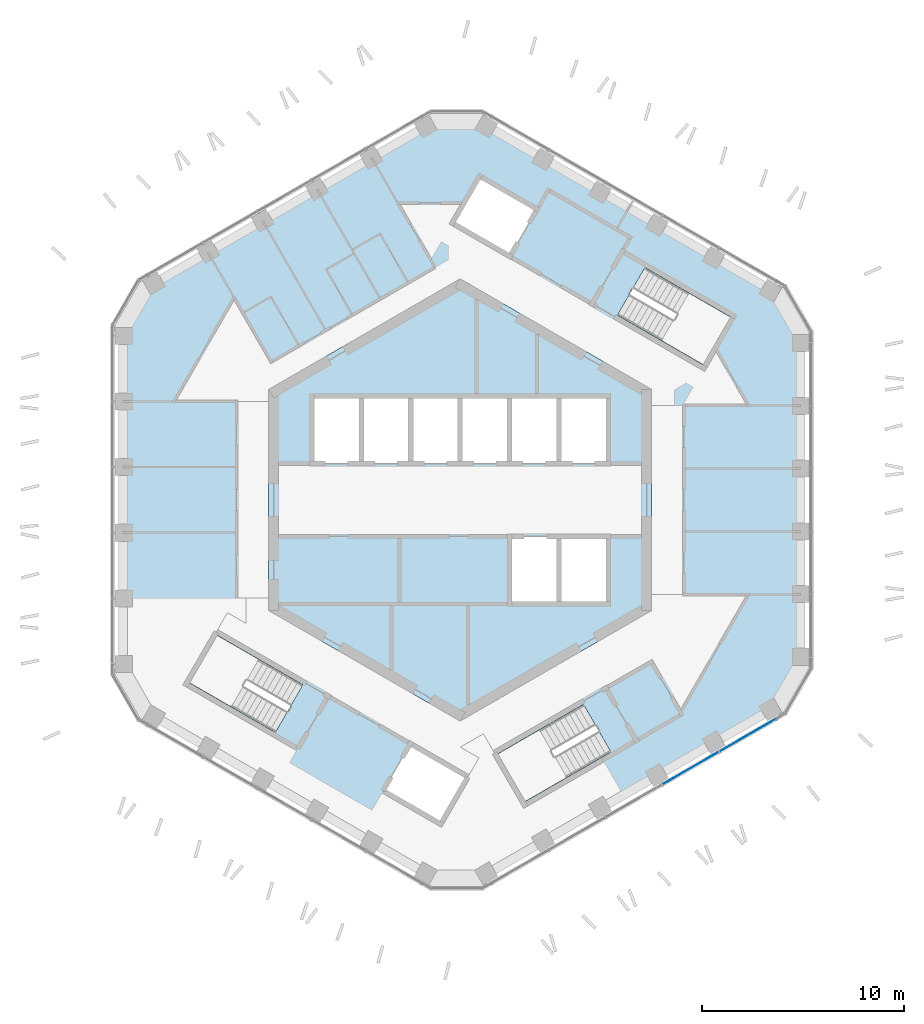
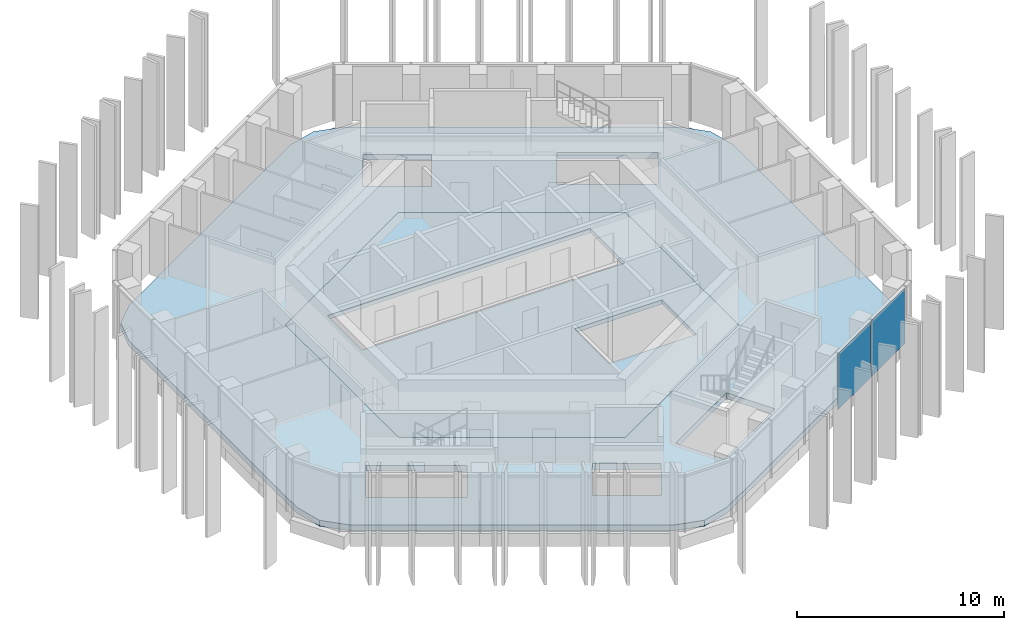
# One storey, part 9 of 18: 2 plates, 2 slabs, 1 element without a shape of its own.
"""IFC4 building model written with IfcOpenShell, lengths in metres."""

from ifc_helpers import new_model, si_unit, direction, frame, origin, origin_2d, place, context, subcontext, project, spatial, polyline, rectangle, outline, extrude, material, layer, layer_set, type_object, element, aggregate, save


model = new_model("IFC4")

# Units and contexts
model_context = context("Model", 3, precision=1e-05, world=origin(), true_north=direction((0.0, 1.0)))
body_context = subcontext(model_context, "Body", "Model", "MODEL_VIEW")
ifc_project = project(units=[si_unit("LENGTHUNIT", "METRE"), si_unit("AREAUNIT", "SQUARE_METRE"), si_unit("VOLUMEUNIT", "CUBIC_METRE"), si_unit("PLANEANGLEUNIT", "RADIAN"), si_unit("MASSUNIT", "GRAM", prefix="KILO")], contexts=[model_context])

# Site, building, storey
site_placement = place(None, origin())
site = spatial("IfcSite", under=ifc_project, at=site_placement, CompositionType="ELEMENT")
building_placement = place(site_placement, origin())
building = spatial("IfcBuilding", under=site, at=building_placement, Name="Ayvan Gate Tower", CompositionType="ELEMENT")
storey_placement = place(building_placement, frame((0.0, 0.0, 229.10009765625)))
storey = spatial("IfcBuildingStorey", under=building, at=storey_placement, Name="L61", CompositionType="ELEMENT", Elevation=229.10009765625)

# Slabs
ifc_material_1 = material(Name="Concrete C40/50", Category="concrete")
ifc_layer_1 = layer(ifc_material_1, 0.35009765625)
ifc_layer_set_1 = layer_set([ifc_layer_1], Name="Concrete C40/50")
slab_type_1 = type_object("IfcSlabType", Name="Post-tensioned flat slab 350", PredefinedType="FLOOR", material=ifc_layer_set_1)
slab_1_placement = place(storey_placement, frame((0.0, 0.0, -0.35009765625)))
element("IfcSlab", 1, at=slab_1_placement, inside=storey, type_object=slab_type_1, Name="SL-L61", PredefinedType="FLOOR", context=body_context, shape_type="SweptSolid", body=[
    extrude(outline(polyline([(1.322021484375, -18.53125), (-0.177978515625, -18.93310546875), (-1.677978515625, -18.53125), (-15.20947265625, -10.71875), (-16.3076171875, -9.620849609375), (-16.70947265625, -8.120849609375), (-16.70947265625, 8.120849609375), (-16.3076171875, 9.620849609375), (-15.20947265625, 10.71875), (-1.677978515625, 18.53125), (-0.177978515625, 18.93310546875), (1.322021484375, 18.53125), (15.387451171875, 10.410400390625), (16.485595703125, 9.312255859375), (16.887451171875, 7.812255859375), (16.887451171875, -7.812255859375), (16.485595703125, -9.312255859375), (15.387451171875, -10.410400390625), (1.322021484375, -18.53125)]), holes=[polyline([(12.049560546875, 6.720458984375), (13.404541015625, 9.0673828125), (9.1611328125, 11.517578125), (7.80615234375, 9.170654296875), (12.049560546875, 6.720458984375)]), polyline([(9.5, 5.48486328125), (0.0, 10.9697265625), (-9.5, 5.48486328125), (-9.5, -5.48486328125), (0.0, -10.9697265625), (9.5, -5.48486328125), (9.5, 5.48486328125)]), polyline([(1.873779296875, -12.595458984375), (3.228759765625, -14.9423828125), (7.472412109375, -12.492431640625), (6.117431640625, -10.1455078125), (1.873779296875, -12.595458984375)]), polyline([(3.822509765625, 14.420654296875), (0.964599609375, 16.07080078125), (-0.385498046875, 13.732421875), (2.472412109375, 12.08251953125), (3.822509765625, 14.420654296875)]), polyline([(0.385498046875, -13.732421875), (-2.472412109375, -12.08251953125), (-3.822509765625, -14.420654296875), (-0.964599609375, -16.07080078125), (0.385498046875, -13.732421875)]), polyline([(-9.1611328125, -11.517578125), (-7.80615234375, -9.170654296875), (-12.049560546875, -6.720458984375), (-13.404541015625, -9.0673828125), (-9.1611328125, -11.517578125)])]), origin(), (0.0, 0.0, 1.0), 0.35009765625),
])
ifc_layer_2 = layer(ifc_material_1, 0.25)
ifc_layer_set_2 = layer_set([ifc_layer_2], Name="Concrete C40/50")
slab_type_2 = type_object("IfcSlabType", Name="SL-CORE-250", PredefinedType="FLOOR", material=ifc_layer_set_2)
slab_2_placement = place(storey_placement, frame((0.0, 0.0, -0.25)))
element("IfcSlab", 2, at=slab_2_placement, inside=storey, type_object=slab_type_2, Name="CS-L61", PredefinedType="FLOOR", context=body_context, shape_type="SweptSolid", body=[
    extrude(outline(polyline([(9.5, -5.48486328125), (0.0, -10.9697265625), (-9.5, -5.48486328125), (-9.5, 5.48486328125), (0.0, 10.9697265625), (9.5, 5.48486328125), (9.5, -5.48486328125)]), holes=[polyline([(-7.35009765625, 5.14990234375), (-7.35009765625, 1.800048828125), (7.35009765625, 1.800048828125), (7.35009765625, 5.14990234375), (-7.35009765625, 5.14990234375)]), polyline([(2.449951171875, -1.800048828125), (2.449951171875, -5.14990234375), (7.35009765625, -5.14990234375), (7.35009765625, -1.800048828125), (2.449951171875, -1.800048828125)])]), origin(), (0.0, 0.0, 1.0), 0.25),
])

# Curtain wall, plates
ifc_material_2 = material(Name="Bronze anodised aluminium", Category="aluminium")
ifc_layer_3 = layer(ifc_material_2, 0.199951171875)
ifc_layer_set_3 = layer_set([ifc_layer_3], Name="Bronze anodised aluminium")
curtain_wall_type = type_object("IfcCurtainWallType", Name="Stick curtain wall CW-2", PredefinedType="NOTDEFINED", material=ifc_layer_set_3)
curtain_wall_placement = place(storey_placement, origin())
curtain_wall = element("IfcCurtainWall", 3, at=curtain_wall_placement, inside=storey, type_object=curtain_wall_type, Name="Stick curtain wall CW-2 L61", PredefinedType="NOTDEFINED")
ifc_material_3 = material(Name="Clear low-iron laminated glass", Category="glass")
ifc_layer_4 = layer(ifc_material_3, 0.028076171875)
ifc_layer_set_4 = layer_set([ifc_layer_4], Name="Clear low-iron laminated glass")
plate_type = type_object("IfcPlateType", Name="Stick curtain wall CW-2 glass panel", PredefinedType="CURTAIN_PANEL", material=ifc_layer_set_4)
plate_1_placement = place(storey_placement, frame((11.436279296875, -13.2978515625, 0.0), z_axis=(0.0, 0.0, 1.0), x_axis=(0.866025403784, 0.5, 0.0)))
plate_1 = element("IfcPlate", 4, at=plate_1_placement, type_object=plate_type, Name="CW-2 glass panel 4", PredefinedType="CURTAIN_PANEL", context=body_context, shape_type="SweptSolid", body=[
    extrude(rectangle(XDim=3.18603515625, YDim=0.028076171875, at=origin_2d()), origin(), (0.0, 0.0, 1.0), 3.280029296875),
])
plate_2_placement = place(storey_placement, frame((14.278076171875, -11.6572265625, 0.0), z_axis=(0.0, 0.0, 1.0), x_axis=(0.866025403784, 0.5, 0.0)))
plate_2 = element("IfcPlate", 5, at=plate_2_placement, type_object=plate_type, Name="CW-2 glass panel 5", PredefinedType="CURTAIN_PANEL", context=body_context, shape_type="SweptSolid", body=[
    extrude(rectangle(XDim=3.23681640625, YDim=0.028076171875, at=origin_2d()), origin(), (0.0, 0.0, 1.0), 3.280029296875),
])
aggregate(curtain_wall, [plate_1, plate_2])

save(model, "model.ifc")
